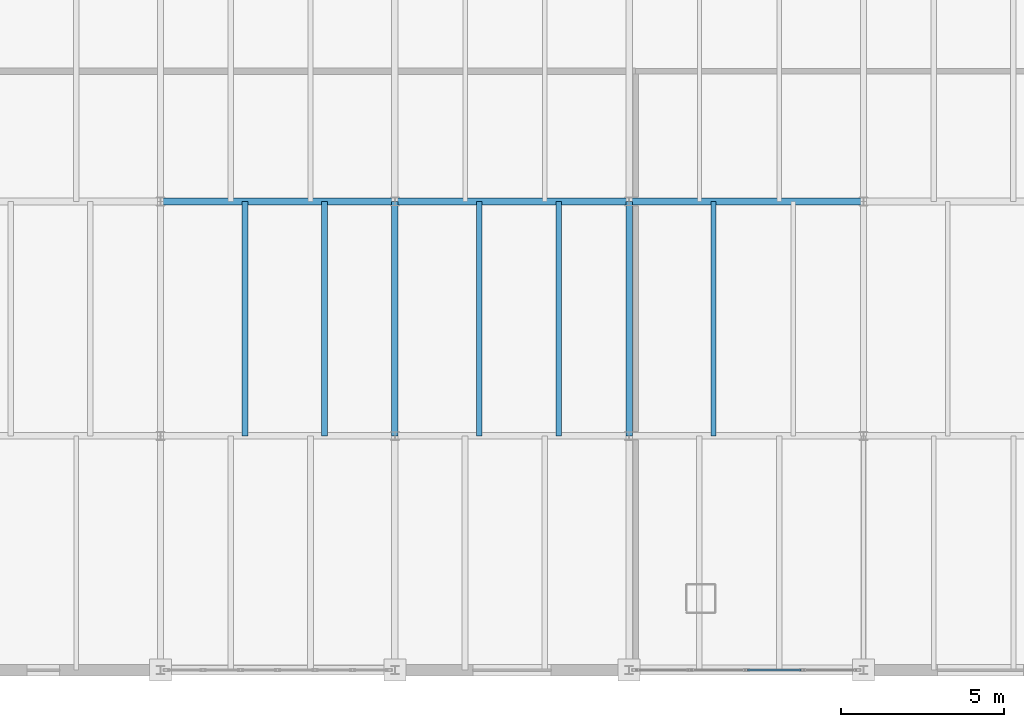
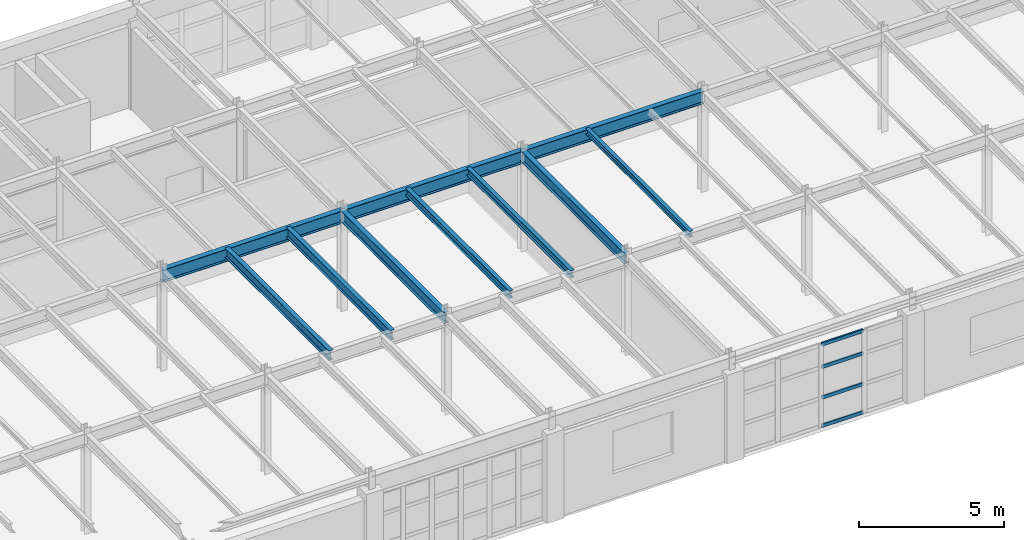
# One storey, part 48 of 137: 10 beams, 4 members, 1 element without a shape of its own.
"""IFC4 building model written with IfcOpenShell, lengths in metres."""

import ifcopenshell
import ifcopenshell.guid

model = None  # the IFC model being written
_history = None  # IfcOwnerHistory: only IFC2X3 demands one
_inside = {}  # id of a spatial element -> (the spatial element, [elements in it])
_under = {}  # id of a project, library or spatial element -> (it, [spatial elements below it])
_declared = {}  # id of a project -> (the project, [libraries it declares])
_typed = {}  # id of a type object -> (the type object, [elements of that type])
_made_of = {}  # id of a material, layer set ... -> (it, [elements and type objects made of it])


def new_model(schema):
    """Start an empty IFC model of exactly this schema.

    Asked for "IFC4X3", IfcOpenShell would pick the latest addendum, in which some entities
    have other attributes; the version numbers below select the first issue.
    IFC2X3 requires an IfcOwnerHistory on every rooted entity: one is made here for all.
    """
    global model, _history
    if schema == "IFC4X3":
        model = ifcopenshell.file(schema_version=(4, 3, 0, 0))
    else:
        model = ifcopenshell.file(schema=schema)
    _inside.clear()
    _under.clear()
    _declared.clear()
    _typed.clear()
    _made_of.clear()
    _history = None
    if model.schema == "IFC2X3":
        org = make("IfcOrganization", Name="unknown")
        user = make(
            "IfcPersonAndOrganization",
            ThePerson=make("IfcPerson", FamilyName="unknown"),
            TheOrganization=org,
        )
        app = make(
            "IfcApplication",
            ApplicationDeveloper=org,
            Version="unknown",
            ApplicationFullName="unknown",
            ApplicationIdentifier="unknown",
        )
        _history = make(
            "IfcOwnerHistory",
            OwningUser=user,
            OwningApplication=app,
            ChangeAction="ADDED",
            CreationDate=0,
        )
    return model


def make(cls, **values):
    """One entity of the class cls with the attributes given. An attribute that is None is left unset."""
    return model.create_entity(
        cls, **{name: value for name, value in values.items() if value is not None}
    )


def rooted(cls, **values):
    """An entity with a GlobalId (a new one), such as an element, a storey or a relation."""
    return make(cls, GlobalId=ifcopenshell.guid.new(), OwnerHistory=_history, **values)


def si_unit(unit_type, name, prefix=None):
    """IfcSIUnit, for example si_unit("LENGTHUNIT", "METRE", prefix="MILLI")."""
    return make("IfcSIUnit", UnitType=unit_type, Prefix=prefix, Name=name)


def assignment(units):
    """IfcUnitAssignment: the units of a project."""
    return None if units is None else make("IfcUnitAssignment", Units=units)


def point(xyz):
    """IfcCartesianPoint."""
    return None if xyz is None else make("IfcCartesianPoint", Coordinates=xyz)


def direction(xyz):
    """IfcDirection."""
    return None if xyz is None else make("IfcDirection", DirectionRatios=xyz)


def frame(location, z_axis=None, x_axis=None):
    """IfcAxis2Placement3D, a coordinate frame: its origin and axes. An axis left out is left unset."""
    return make(
        "IfcAxis2Placement3D",
        Location=point(location),
        Axis=direction(z_axis),
        RefDirection=direction(x_axis),
    )


def frame_2d(location, x_axis=None):
    """IfcAxis2Placement2D, a coordinate frame in the plane: its origin and x axis."""
    return make(
        "IfcAxis2Placement2D", Location=point(location), RefDirection=direction(x_axis)
    )


def origin():
    """The frame at (0, 0, 0) with its axes left unset."""
    return frame((0.0, 0.0, 0.0))


def origin_2d():
    """The frame at (0, 0) in the plane with its x axis left unset."""
    return frame_2d((0.0, 0.0))


def place(relative_to, where):
    """IfcLocalPlacement: puts the frame where relative to a parent placement (None: the world)."""
    return make(
        "IfcLocalPlacement", PlacementRelTo=relative_to, RelativePlacement=where
    )


def context(
    kind, dimensions, precision=None, world=None, true_north=None, identifier=None
):
    """IfcGeometricRepresentationContext, for example the 3D "Model" context."""
    return make(
        "IfcGeometricRepresentationContext",
        ContextIdentifier=identifier,
        ContextType=kind,
        CoordinateSpaceDimension=dimensions,
        Precision=precision,
        WorldCoordinateSystem=world,
        TrueNorth=true_north,
    )


def subcontext(parent, identifier, kind, view, scale=None):
    """IfcGeometricRepresentationSubContext, for example "Body" below "Model"."""
    return make(
        "IfcGeometricRepresentationSubContext",
        ContextIdentifier=identifier,
        ContextType=kind,
        ParentContext=parent,
        TargetScale=scale,
        TargetView=view,
    )


def project(units=None, contexts=None):
    """IfcProject with its units and contexts."""
    return rooted(
        "IfcProject",
        Name="project",
        RepresentationContexts=contexts,
        UnitsInContext=assignment(units),
    )


def spatial(cls, under=None, at=None, **own):
    """A site, building, storey or space (cls), placed at a placement, below another one or the project."""
    s = rooted(cls, ObjectPlacement=at, **own)
    if under is not None:
        _under.setdefault(under.id(), (under, []))[1].append(s)
    return s


def profile(cls, at=None, kind="AREA", **sizes):
    """A parametric profile (cls). Its sizes go by their IFC names, for example OverallWidth=200.0."""
    return make(cls, ProfileType=kind, Position=at, **sizes)


def hollow_rectangle(**sizes):
    """IfcRectangleHollowProfileDef."""
    return profile("IfcRectangleHollowProfileDef", **sizes)


def i_section(**sizes):
    """IfcIShapeProfileDef."""
    return profile("IfcIShapeProfileDef", **sizes)


def extrude(swept, where, along, depth):
    """IfcExtrudedAreaSolid: the profile swept, set in the frame where, extruded along a direction by depth."""
    return make(
        "IfcExtrudedAreaSolid",
        SweptArea=swept,
        Position=where,
        ExtrudedDirection=direction(along),
        Depth=depth,
    )


def shape(context_of_items, identifier, shape_type, items):
    """IfcShapeRepresentation: the items that make up one representation, for example the "Body"."""
    return make(
        "IfcShapeRepresentation",
        ContextOfItems=context_of_items,
        RepresentationIdentifier=identifier,
        RepresentationType=shape_type,
        Items=items,
    )


def material(Name=None, Category=None):
    """IfcMaterial."""
    return make("IfcMaterial", Name=Name, Category=Category)


def layer(
    of_material, thickness, ventilated=None, Name=None, Category=None, Priority=None
):
    """IfcMaterialLayer: one layer of a wall or slab, of a material (None: an air gap)."""
    return make(
        "IfcMaterialLayer",
        Material=of_material,
        LayerThickness=thickness,
        IsVentilated=ventilated,
        Name=Name,
        Category=Category,
        Priority=Priority,
    )


def layer_set(layers, Name=None):
    """IfcMaterialLayerSet."""
    return make("IfcMaterialLayerSet", MaterialLayers=layers, LayerSetName=Name)


def material_profile(
    of_material, cross_section, Name=None, Category=None, Priority=None
):
    """IfcMaterialProfile: a cross section and its material."""
    return make(
        "IfcMaterialProfile",
        Name=Name,
        Material=of_material,
        Profile=cross_section,
        Priority=Priority,
        Category=Category,
    )


def profile_set(profiles, Name=None, composite=None):
    """IfcMaterialProfileSet."""
    return make(
        "IfcMaterialProfileSet",
        Name=Name,
        MaterialProfiles=profiles,
        CompositeProfile=composite,
    )


def made_of(thing, what):
    """Note that an element or type object is made of a material, layer set ...; save() writes the relation."""
    if what is not None:
        _made_of.setdefault(what.id(), (what, []))[1].append(thing)
    return thing


def type_object(cls, material=None, **own):
    """A type object (cls), such as IfcWallType, which elements share."""
    return made_of(rooted(cls, **own), material)


def element(
    cls,
    number,
    at=None,
    inside=None,
    cuts=None,
    type_object=None,
    material=None,
    context=None,
    identifier="Body",
    shape_type=None,
    held_by="IfcProductDefinitionShape",
    body=None,
    shapes=None,
    **own,
):
    """One element of the class cls, such as IfcWall. Its Tag is "e" and its number.

    at: its placement. inside: the storey or other place that contains it. cuts: it is an
    opening in that element (IfcRelVoidsElement). A single representation is given by context,
    identifier, shape_type and body (its items); several are given by shapes. held_by: the class
    of the entity that holds the representations. save() writes the other relations.
    """
    e = rooted(cls, Tag="e%d" % number, ObjectPlacement=at, **own)
    if body is not None:
        shapes = [shape(context, identifier, shape_type, body)]
    if shapes is not None:
        e.Representation = make(held_by, Representations=shapes)
    if inside is not None:
        _inside.setdefault(inside.id(), (inside, []))[1].append(e)
    if cuts is not None:
        rooted(
            "IfcRelVoidsElement", RelatingBuildingElement=cuts, RelatedOpeningElement=e
        )
    if type_object is not None:
        _typed.setdefault(type_object.id(), (type_object, []))[1].append(e)
    return made_of(e, material)


def aggregate(whole, parts):
    """IfcRelAggregates: a whole, such as a stair, and the parts it consists of."""
    return rooted("IfcRelAggregates", RelatingObject=whole, RelatedObjects=parts)


def save(model, path):
    """Write the relations noted so far, then the file.

    IfcRelAggregates (storeys below a building ...), IfcRelContainedInSpatialStructure (elements
    in a storey), IfcRelDefinesByType, IfcRelAssociatesMaterial and IfcRelDeclares: one each for
    every whole, place, type object, material and project.
    """
    for whole, parts in _under.values():
        aggregate(whole, parts)
    for where, things in _inside.values():
        rooted(
            "IfcRelContainedInSpatialStructure",
            RelatedElements=things,
            RelatingStructure=where,
        )
    for kind, things in _typed.values():
        rooted("IfcRelDefinesByType", RelatedObjects=things, RelatingType=kind)
    for what, things in _made_of.values():
        rooted("IfcRelAssociatesMaterial", RelatedObjects=things, RelatingMaterial=what)
    for by, libraries in _declared.values():
        rooted("IfcRelDeclares", RelatingContext=by, RelatedDefinitions=libraries)
    model.write(path)


model = new_model("IFC4")

# Units and contexts
model_context = context("Model", 3, precision=1e-05, world=origin(), true_north=direction((0.0, 1.0)))
body_context = subcontext(model_context, "Body", "Model", "MODEL_VIEW")
ifc_project = project(units=[si_unit("LENGTHUNIT", "METRE"), si_unit("AREAUNIT", "SQUARE_METRE"), si_unit("VOLUMEUNIT", "CUBIC_METRE"), si_unit("PLANEANGLEUNIT", "RADIAN"), si_unit("MASSUNIT", "GRAM", prefix="KILO")], contexts=[model_context])

# Site, building, storey
site_placement = place(None, origin())
site = spatial("IfcSite", under=ifc_project, at=site_placement, CompositionType="ELEMENT")
building_placement = place(site_placement, origin())
building = spatial("IfcBuilding", under=site, at=building_placement, Name="Kemerveld Promenade Tramway Depot", CompositionType="ELEMENT")
storey_placement = place(building_placement, frame((0.0, 0.0, 5.39990234375)))
storey = spatial("IfcBuildingStorey", under=building, at=storey_placement, Name="L01", CompositionType="ELEMENT", Elevation=5.39990234375)

# Beams
ifc_material_1 = material(Name="Steel S355", Category="steel")
ifc_material_profile_1 = material_profile(ifc_material_1, i_section(OverallWidth=0.2099609375, OverallDepth=0.53662109375, WebThickness=0.0107421875, FlangeThickness=0.017333984375, FilletRadius=0.0126953125, at=origin_2d()), Name="533x210x101 UB")
ifc_profile_set_1 = profile_set([ifc_material_profile_1], Name="Steel S355")
beam_type_1 = type_object("IfcBeamType", Name="BM-G05", PredefinedType="BEAM", material=ifc_profile_set_1)
for number, where, z_axis, x_axis, name in (
    (1, (93.60009765625, 14.39990234375, 3.981689453125), (1.0, 0.0, 0.0), (0.0, 1.0, 0.0), "BMX-L01-14-15-C"),
    (2, (100.800048828125, 14.39990234375, 3.981689453125), (1.0, 0.0, 0.0), (0.0, 1.0, 0.0), "BMX-L01-15-16-C"),
    (3, (108.0, 14.39990234375, 3.981689453125), (1.0, 0.0, 0.0), (0.0, 1.0, 0.0), "BMX-L01-16-17-C"),
):
    element("IfcBeam", number, at=place(storey_placement, frame(where, z_axis=z_axis, x_axis=x_axis)), inside=storey, type_object=beam_type_1, Name=name, PredefinedType="BEAM", context=body_context, shape_type="SweptSolid", body=[
        extrude(i_section(OverallWidth=0.2099609375, OverallDepth=0.53662109375, WebThickness=0.0107421875, FlangeThickness=0.017333984375, FilletRadius=0.0126953125, at=origin_2d()), origin(), (0.0, 0.0, 1.0), 7.199951171875),
    ])
ifc_material_profile_2 = material_profile(ifc_material_1, i_section(OverallWidth=0.19140625, OverallDepth=0.4599609375, WebThickness=0.010009765625, FlangeThickness=0.01611328125, FilletRadius=0.01025390625, at=origin_2d()), Name="457x191x82 UB")
ifc_profile_set_2 = profile_set([ifc_material_profile_2], Name="Steel S355")
beam_type_2 = type_object("IfcBeamType", Name="BM-G06", PredefinedType="BEAM", material=ifc_profile_set_2)
for number, where, z_axis, x_axis, name in (
    (4, (100.800048828125, 7.199951171875, 4.02001953125), (0.0, 1.0, 0.0), (-1.0, 0.0, 0.0), "BMY-L01-15-B-C"),
    (5, (108.0, 7.199951171875, 4.02001953125), (0.0, 1.0, 0.0), (-1.0, 0.0, 0.0), "BMY-L01-16-B-C"),
):
    element("IfcBeam", number, at=place(storey_placement, frame(where, z_axis=z_axis, x_axis=x_axis)), inside=storey, type_object=beam_type_2, Name=name, PredefinedType="BEAM", context=body_context, shape_type="SweptSolid", body=[
        extrude(i_section(OverallWidth=0.19140625, OverallDepth=0.4599609375, WebThickness=0.010009765625, FlangeThickness=0.01611328125, FilletRadius=0.01025390625, at=origin_2d()), origin(), (0.0, 0.0, 1.0), 7.199951171875),
    ])
ifc_material_profile_3 = material_profile(ifc_material_1, i_section(OverallWidth=0.165771484375, OverallDepth=0.306640625, WebThickness=0.006591796875, FlangeThickness=0.01171875, FilletRadius=0.0087890625, at=origin_2d()), Name="305x165x46 UB")
ifc_profile_set_3 = profile_set([ifc_material_profile_3], Name="Steel S355")
beam_type_3 = type_object("IfcBeamType", Name="BM-J01", PredefinedType="JOIST", material=ifc_profile_set_3)
for number, where, z_axis, x_axis, name in (
    (6, (103.39208984375, 7.199951171875, 4.0966796875), (0.0, 1.0, 0.0), (-1.0, 0.0, 0.0), "JST-L01-15-B-1"),
    (7, (105.840087890625, 7.199951171875, 4.0966796875), (0.0, 1.0, 0.0), (-1.0, 0.0, 0.0), "JST-L01-15-B-2"),
):
    element("IfcBeam", number, at=place(storey_placement, frame(where, z_axis=z_axis, x_axis=x_axis)), inside=storey, type_object=beam_type_3, Name=name, PredefinedType="JOIST", context=body_context, shape_type="SweptSolid", body=[
        extrude(i_section(OverallWidth=0.165771484375, OverallDepth=0.306640625, WebThickness=0.006591796875, FlangeThickness=0.01171875, FilletRadius=0.0087890625, at=origin_2d()), origin(), (0.0, 0.0, 1.0), 7.199951171875),
    ])
ifc_material_profile_4 = material_profile(ifc_material_1, i_section(OverallWidth=0.146484375, OverallDepth=0.256103515625, WebThickness=0.00634765625, FlangeThickness=0.010986328125, FilletRadius=0.007568359375, at=origin_2d()), Name="254x146x37 UB")
ifc_profile_set_4 = profile_set([ifc_material_profile_4], Name="Steel S355")
beam_type_4 = type_object("IfcBeamType", Name="BM-J02", PredefinedType="JOIST", material=ifc_profile_set_4)
beam_placement = place(storey_placement, frame((110.592041015625, 7.199951171875, 4.1220703125), z_axis=(0.0, 1.0, 0.0), x_axis=(-1.0, 0.0, 0.0)))
element("IfcBeam", 8, at=beam_placement, inside=storey, type_object=beam_type_4, Name="JST-L01-16-B-1", PredefinedType="JOIST", context=body_context, shape_type="SweptSolid", body=[
    extrude(i_section(OverallWidth=0.146484375, OverallDepth=0.256103515625, WebThickness=0.00634765625, FlangeThickness=0.010986328125, FilletRadius=0.007568359375, at=origin_2d()), origin(), (0.0, 0.0, 1.0), 7.199951171875),
])
ifc_material_profile_5 = material_profile(ifc_material_1, i_section(OverallWidth=0.1787109375, OverallDepth=0.409423828125, WebThickness=0.0087890625, FlangeThickness=0.014404296875, FilletRadius=0.01025390625, at=origin_2d()), Name="406x178x67 UB")
ifc_profile_set_5 = profile_set([ifc_material_profile_5], Name="Steel S355")
beam_type_5 = type_object("IfcBeamType", Name="BM-J05", PredefinedType="JOIST", material=ifc_profile_set_5)
for number, where, z_axis, x_axis, name in (
    (9, (96.19189453125, 7.199951171875, 4.04541015625), (0.0, 1.0, 0.0), (-1.0, 0.0, 0.0), "JST-L01-14-B-1"),
    (10, (98.639892578125, 7.199951171875, 4.04541015625), (0.0, 1.0, 0.0), (-1.0, 0.0, 0.0), "JST-L01-14-B-2"),
):
    element("IfcBeam", number, at=place(storey_placement, frame(where, z_axis=z_axis, x_axis=x_axis)), inside=storey, type_object=beam_type_5, Name=name, PredefinedType="JOIST", context=body_context, shape_type="SweptSolid", body=[
        extrude(i_section(OverallWidth=0.1787109375, OverallDepth=0.409423828125, WebThickness=0.0087890625, FlangeThickness=0.014404296875, FilletRadius=0.01025390625, at=origin_2d()), origin(), (0.0, 0.0, 1.0), 7.199951171875),
    ])

# Curtain wall, members
ifc_material_2 = material(Name="Bronze anodised aluminium and solar glass", Category="aluminium")
ifc_layer = layer(ifc_material_2, 0.199951171875)
ifc_layer_set = layer_set([ifc_layer], Name="CW-SYS-10")
curtain_wall_type = type_object("IfcCurtainWallType", Name="CW-SYS-10", PredefinedType="USERDEFINED", material=ifc_layer_set)
curtain_wall_placement = place(storey_placement, origin())
curtain_wall = element("IfcCurtainWall", 11, at=curtain_wall_placement, inside=storey, type_object=curtain_wall_type, Name="CW-L01-V4S-07", ObjectType="GLAZED_CURTAIN_WALL", PredefinedType="USERDEFINED")
ifc_material_3 = material(Name="Bronze anodised aluminium", Category="aluminium")
ifc_material_profile_6 = material_profile(ifc_material_3, hollow_rectangle(XDim=0.06494140625, YDim=0.14990234375, WallThickness=0.00439453125, InnerFilletRadius=0.001953125, OuterFilletRadius=0.00439453125, at=origin_2d()), Name="CW-TRN-150x65")
ifc_profile_set_6 = profile_set([ifc_material_profile_6], Name="Bronze anodised aluminium")
member_type = type_object("IfcMemberType", Name="CW-TRN-B", PredefinedType="USERDEFINED", material=ifc_profile_set_6)
member_1_placement = place(storey_placement, frame((113.287353515625, 0.0, 0.03271484375), z_axis=(-1.0, 0.0, 0.0), x_axis=(0.0, -1.0, 0.0)))
member_1 = element("IfcMember", 12, at=member_1_placement, type_object=member_type, Name="CW10 transom 2.1", ObjectType="TRANSOM", PredefinedType="USERDEFINED", context=body_context, shape_type="SweptSolid", body=[
    extrude(hollow_rectangle(XDim=0.06494140625, YDim=0.14990234375, WallThickness=0.00439453125, InnerFilletRadius=0.001953125, OuterFilletRadius=0.00439453125, at=origin_2d()), origin(), (0.0, 0.0, 1.0), 1.64990234375),
])
member_2_placement = place(storey_placement, frame((113.287353515625, 0.0, 1.22607421875), z_axis=(-1.0, 0.0, 0.0), x_axis=(0.0, -1.0, 0.0)))
member_2 = element("IfcMember", 13, at=member_2_placement, type_object=member_type, Name="CW10 transom 2.2", ObjectType="TRANSOM", PredefinedType="USERDEFINED", context=body_context, shape_type="SweptSolid", body=[
    extrude(hollow_rectangle(XDim=0.06494140625, YDim=0.14990234375, WallThickness=0.00439453125, InnerFilletRadius=0.001953125, OuterFilletRadius=0.00439453125, at=origin_2d()), origin(), (0.0, 0.0, 1.0), 1.64990234375),
])
member_3_placement = place(storey_placement, frame((113.287353515625, 0.0, 2.522216796875), z_axis=(-1.0, 0.0, 0.0), x_axis=(0.0, -1.0, 0.0)))
member_3 = element("IfcMember", 14, at=member_3_placement, type_object=member_type, Name="CW10 transom 2.3", ObjectType="TRANSOM", PredefinedType="USERDEFINED", context=body_context, shape_type="SweptSolid", body=[
    extrude(hollow_rectangle(XDim=0.06494140625, YDim=0.14990234375, WallThickness=0.00439453125, InnerFilletRadius=0.001953125, OuterFilletRadius=0.00439453125, at=origin_2d()), origin(), (0.0, 0.0, 1.0), 1.64990234375),
])
member_4_placement = place(storey_placement, frame((113.287353515625, 0.0, 3.470458984375), z_axis=(-1.0, 0.0, 0.0), x_axis=(0.0, -1.0, 0.0)))
member_4 = element("IfcMember", 15, at=member_4_placement, type_object=member_type, Name="CW10 transom 2.4", ObjectType="TRANSOM", PredefinedType="USERDEFINED", context=body_context, shape_type="SweptSolid", body=[
    extrude(hollow_rectangle(XDim=0.06494140625, YDim=0.14990234375, WallThickness=0.00439453125, InnerFilletRadius=0.001953125, OuterFilletRadius=0.00439453125, at=origin_2d()), origin(), (0.0, 0.0, 1.0), 1.64990234375),
])
aggregate(curtain_wall, [member_1, member_2, member_3, member_4])

save(model, "model.ifc")
